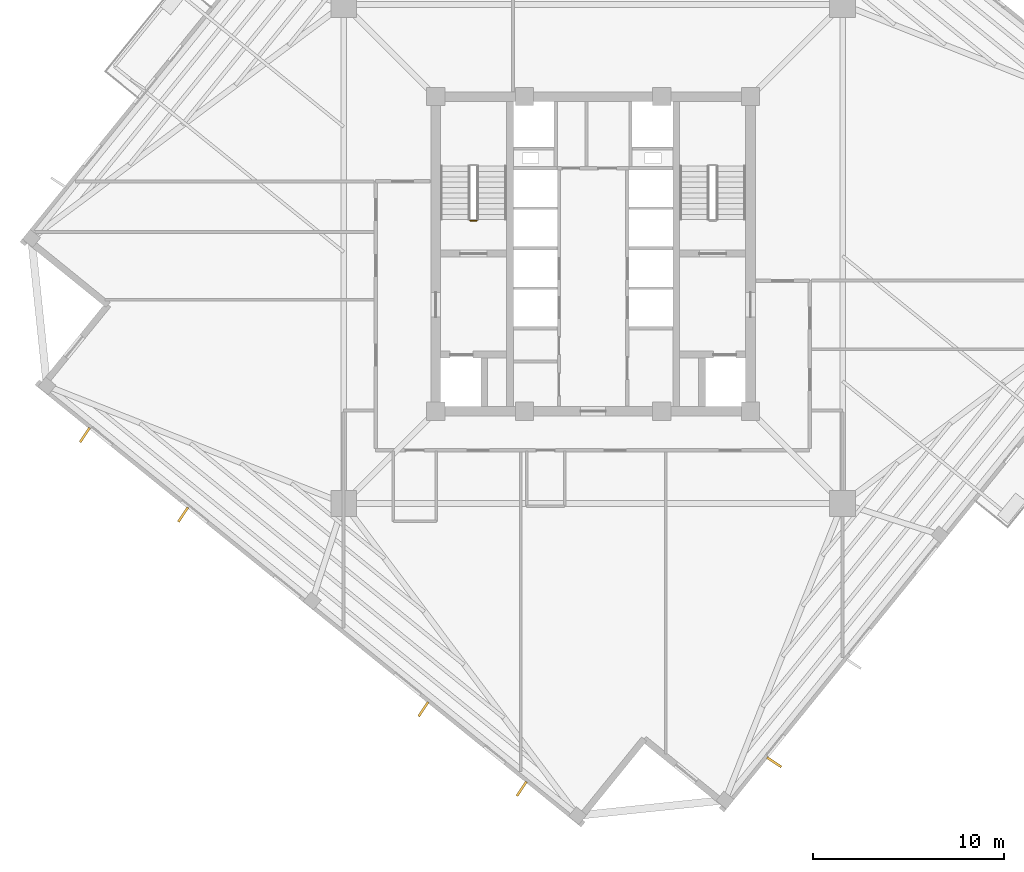
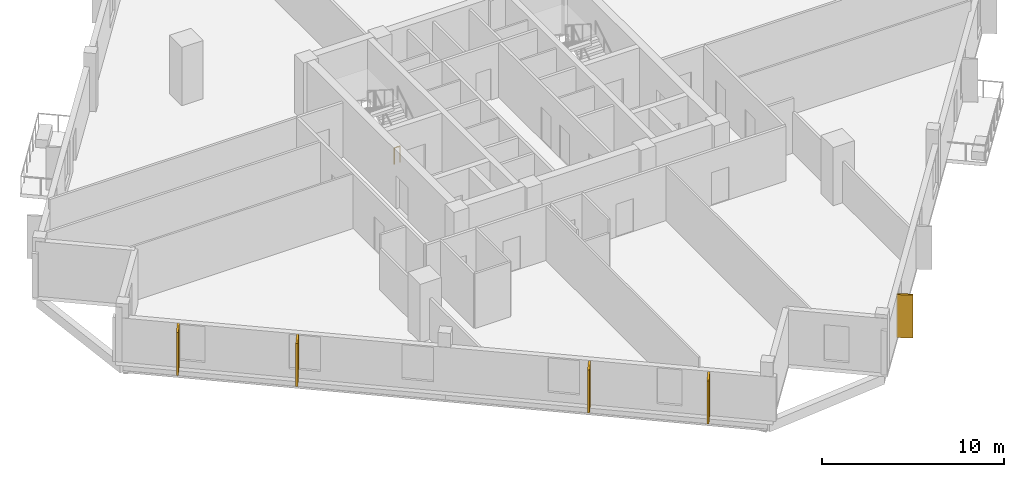
# One storey, part 6 of 9: 5 coverings, 1 railing.
"""IFC4 building model written with IfcOpenShell, lengths in metres."""

from ifc_helpers import new_model, si_unit, direction, frame, origin, origin_2d, place, context, subcontext, project, spatial, rectangle, circle, extrude, source, transform, mapped, material, layer, layer_set, type_object, element, save


model = new_model("IFC4")

# Units and contexts
model_context = context("Model", 3, precision=1e-05, world=origin(), true_north=direction((0.0, 1.0)))
body_context = subcontext(model_context, "Body", "Model", "MODEL_VIEW")
ifc_project = project(units=[si_unit("LENGTHUNIT", "METRE"), si_unit("AREAUNIT", "SQUARE_METRE"), si_unit("VOLUMEUNIT", "CUBIC_METRE"), si_unit("PLANEANGLEUNIT", "RADIAN"), si_unit("MASSUNIT", "GRAM", prefix="KILO"), si_unit("THERMODYNAMICTEMPERATUREUNIT", "KELVIN")], contexts=[model_context])

# Site, building, storey
site_placement = place(None, origin())
site = spatial("IfcSite", under=ifc_project, at=site_placement, CompositionType="ELEMENT")
building_placement = place(site_placement, origin())
building = spatial("IfcBuilding", under=site, at=building_placement, Name="Kosmvard Interchange Tower", CompositionType="ELEMENT")
storey_placement = place(building_placement, frame((0.0, 0.0, 221.199951171875)))
storey = spatial("IfcBuildingStorey", under=building, at=storey_placement, Name="L53", CompositionType="ELEMENT", Elevation=221.199951171875)

# Coverings
ifc_material_1 = material(Name="Architectural anodised aluminium", Category="aluminium")
ifc_layer = layer(ifc_material_1, 0.1201171875, Name="Architectural anodised aluminium")
ifc_layer_set = layer_set([ifc_layer], Name="Architectural anodised aluminium")
covering_type = type_object("IfcCoveringType", Name="Rotating Vertical Sun-Breaker Fin 900x120 Aluminium", PredefinedType="CLADDING", material=ifc_layer_set)
shared_shape_1 = source(origin(), body_context, "Body", "SweptSolid", [
    extrude(rectangle(XDim=0.89990234375, YDim=0.1201171875, at=origin_2d()), origin(), (0.0, 0.0, 1.0), 2.8798828125),
])
for number, where, z_axis, x_axis, name in (
    (1, (9.494384765625, -26.650146484375, 0.0400390625), (0.0, 0.0, 1.0), (0.835135979853, -0.550043539327, 0.0), "L53 Rotating Vertical Sun-Breaker Fin 01"),
    (2, (-26.650146484375, -9.494384765625, 0.0400390625), (0.0, 0.0, 1.0), (-0.550043539327, -0.835135979853, 0.0), "L53 Rotating Vertical Sun-Breaker Fin 13"),
    (3, (-21.49658203125, -13.66748046875, 0.0400390625), (0.0, 0.0, 1.0), (-0.550043539327, -0.835135979853, 0.0), "L53 Rotating Vertical Sun-Breaker Fin 14"),
    (4, (-8.8994140625, -23.86865234375, 0.0400390625), (0.0, 0.0, 1.0), (-0.550043539327, -0.835135979853, 0.0), "L53 Rotating Vertical Sun-Breaker Fin 15"),
    (5, (-3.74609375, -28.041748046875, 0.0400390625), (0.0, 0.0, 1.0), (-0.550043539327, -0.835135979853, 0.0), "L53 Rotating Vertical Sun-Breaker Fin 16"),
):
    element("IfcCovering", number, at=place(storey_placement, frame(where, z_axis=z_axis, x_axis=x_axis)), inside=storey, type_object=covering_type, Name=name, PredefinedType="CLADDING", context=body_context, shape_type="MappedRepresentation", body=[
        mapped(shared_shape_1, transform((0.0, 0.0, 0.0), scale=1.0)),
    ])

# Railing
ifc_material_2 = material(Name="Steel S355", Category="steel")
railing_type = type_object("IfcRailingType", Name="Stair & Terrace Safety Guardrail 1100 Steel", PredefinedType="GUARDRAIL", material=ifc_material_2)
shared_shape_2 = source(origin(), body_context, "Body", "SweptSolid", [
    extrude(circle(Radius=0.02392578125, at=origin_2d()), frame((0.0, 0.0, 1.076171875), z_axis=(-1.0, 0.0, 0.0), x_axis=(0.0, -1.0, 0.0)), (0.0, 0.0, 1.0), 0.35986328125),
    extrude(circle(Radius=0.02099609375, at=origin_2d()), origin(), (0.0, 0.0, 1.0), 1.052001953125),
    extrude(circle(Radius=0.02099609375, at=origin_2d()), frame((-0.35986328125, 0.0, 0.0)), (0.0, 0.0, 1.0), 1.052001953125),
])
railing_placement = place(storey_placement, frame((-6.090087890625, 1.75, 0.0)))
element("IfcRailing", 6, at=railing_placement, inside=storey, type_object=railing_type, Name="L53 ST-1 stair guard 4", PredefinedType="GUARDRAIL", context=body_context, shape_type="MappedRepresentation", body=[
    mapped(shared_shape_2, transform((0.0, 0.0, 0.0), scale=1.0)),
])

save(model, "model.ifc")
